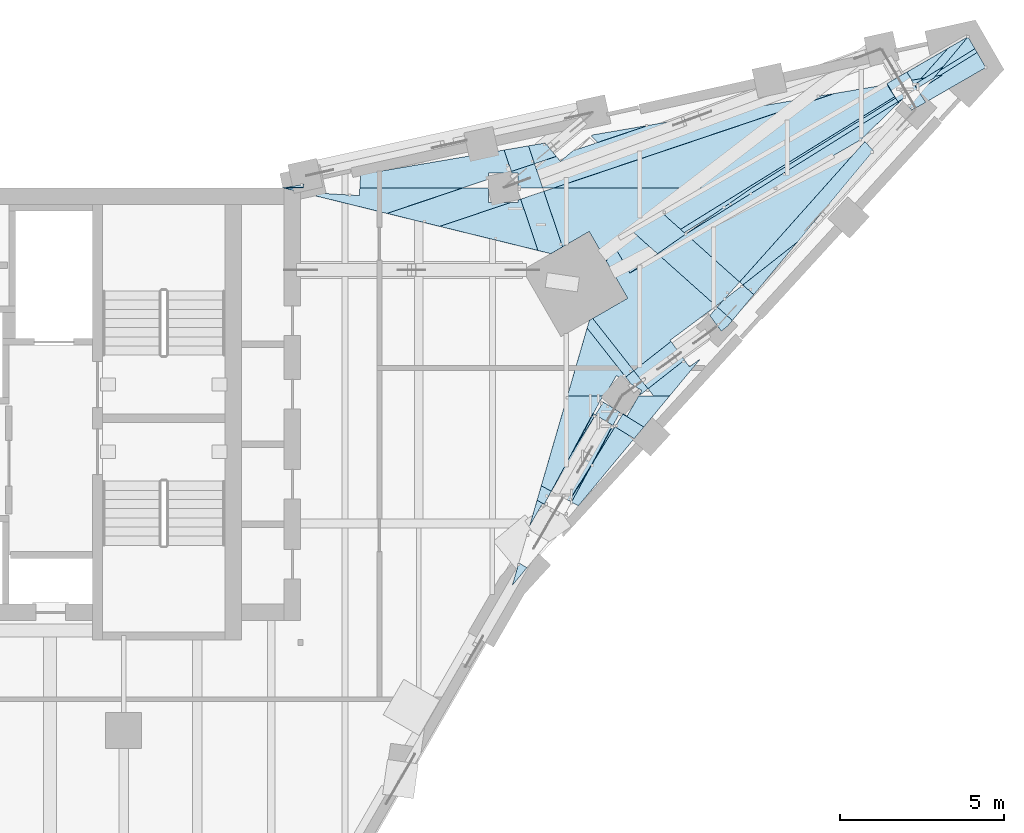
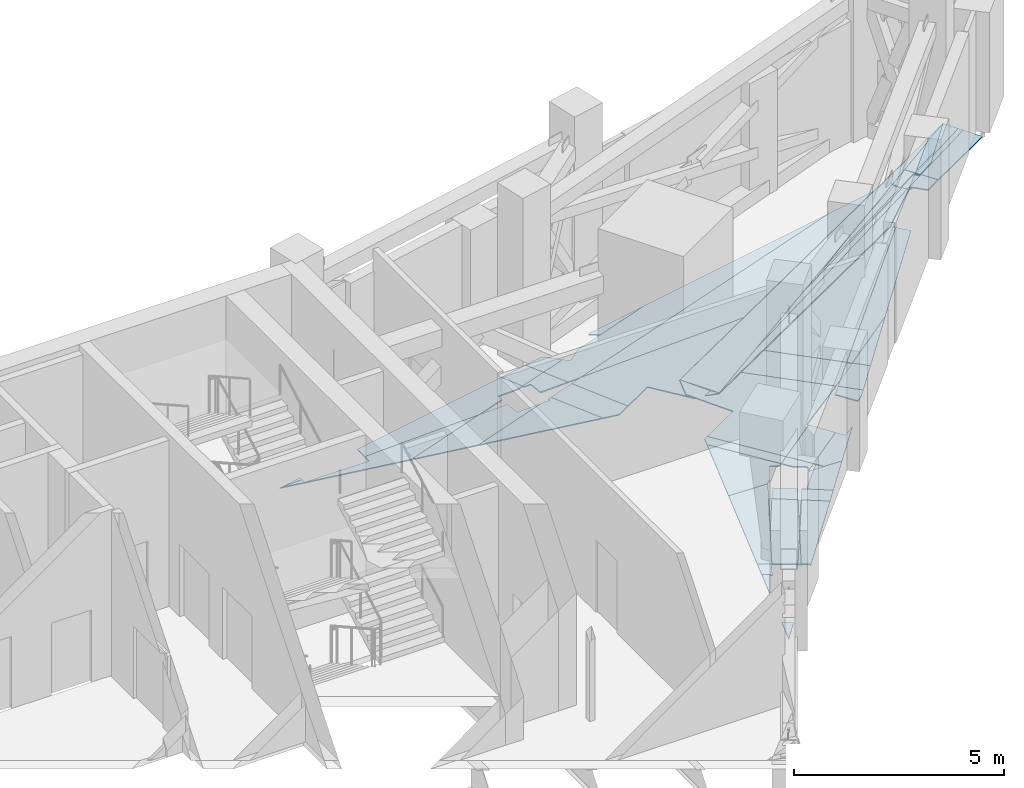
# One storey, part 8 of 23: 52 plates.
"""IFC4 building model written with IfcOpenShell, lengths in metres."""

from ifc_helpers import new_model, si_unit, direction, frame, origin, place, context, subcontext, project, spatial, polyline, outline, extrude, material, layer, layer_set, type_object, element, save


model = new_model("IFC4")

# Units and contexts
model_context = context("Model", 3, precision=1e-05, world=origin(), true_north=direction((0.0, 1.0)))
body_context = subcontext(model_context, "Body", "Model", "MODEL_VIEW")
ifc_project = project(units=[si_unit("LENGTHUNIT", "METRE"), si_unit("AREAUNIT", "SQUARE_METRE"), si_unit("VOLUMEUNIT", "CUBIC_METRE"), si_unit("PLANEANGLEUNIT", "RADIAN"), si_unit("MASSUNIT", "GRAM", prefix="KILO")], contexts=[model_context])

# Site, building, storey
site_placement = place(None, origin())
site = spatial("IfcSite", under=ifc_project, at=site_placement, CompositionType="ELEMENT")
building_placement = place(site_placement, origin())
building = spatial("IfcBuilding", under=site, at=building_placement, Name="Calabash Gate Tower", CompositionType="ELEMENT")
storey_placement = place(building_placement, frame((0.0, 0.0, 243.199951171875)))
storey = spatial("IfcBuildingStorey", under=building, at=storey_placement, Name="L58", CompositionType="ELEMENT", Elevation=243.199951171875)

# Plates
ifc_material_1 = material(Name="Dark tinted laminated glass", Category="glass")
ifc_layer_1 = layer(ifc_material_1, 0.030029296875)
ifc_layer_set_1 = layer_set([ifc_layer_1], Name="Dark glass soffit plate 30")
plate_type_1 = type_object("IfcPlateType", Name="Dark glass soffit plate 30", PredefinedType="SHEET", material=ifc_layer_set_1)
plate_1_placement = place(storey_placement, frame((32.6201171875, 21.6220703125, -1.02294921875), z_axis=(-0.037553524407, 0.088991459793, 0.995324194867), x_axis=(-0.840864125759, -0.54099029719, 0.016643928578)))
element("IfcPlate", 1, at=plate_1_placement, inside=storey, type_object=plate_type_1, Name="Dark glass soffit SOF-Z5-NE-01", PredefinedType="SHEET", context=body_context, shape_type="SweptSolid", body=[
    extrude(outline(polyline([(0.0, 0.0), (4.748779296875, 0.0), (10.2080078125, -3.53125), (1.46923828125, -1.31982421875), (-0.03564453125, -0.67626953125), (-0.034423828125, -0.007568359375), (0.0, 0.0)])), origin(), (0.0, 0.0, -1.0), 0.030029296875),
])
plate_2_placement = place(storey_placement, frame((28.945068359375, 19.052978515625, -0.931884765625), z_axis=(-0.037480599287, 0.088816939733, 0.995342531942), x_axis=(-0.865980927979, -0.499933005581, 0.012000929421)))
element("IfcPlate", 2, at=plate_2_placement, inside=storey, type_object=plate_type_1, Name="Dark glass soffit SOF-Z5-NE-02", PredefinedType="SHEET", context=body_context, shape_type="SweptSolid", body=[
    extrude(outline(polyline([(0.0, 0.0), (5.196533203125, 0.0), (5.636962890625, -0.424072265625), (5.6357421875, -1.7255859375), (6.574462890625, -1.725830078125), (6.218994140625, -3.48828125), (5.898681640625, -3.423095703125), (0.0, 0.0)])), origin(), (0.0, 0.0, -1.0), 0.030029296875),
])
plate_3_placement = place(storey_placement, frame((31.52294921875, 20.552978515625, -0.998046875), z_axis=(0.024454063486, -0.018588582984, 0.999528120346), x_axis=(0.698994591577, -0.714480988245, -0.03038878711)))
element("IfcPlate", 3, at=plate_3_placement, inside=storey, type_object=plate_type_1, Name="Dark glass soffit SOF-Z5-NE-03", PredefinedType="SHEET", context=body_context, shape_type="SweptSolid", body=[
    extrude(outline(polyline([(0.0, 0.0), (0.1259765625, 0.0), (0.51611328125, -5.7236328125), (-1.7431640625, -5.87841796875), (-0.072265625, 1.591796875), (0.00341796875, 1.574951171875), (0.0, 0.0)])), origin(), (0.0, 0.0, -1.0), 0.030029296875),
])
plate_4_placement = place(storey_placement, frame((27.075927734375, 15.449951171875, -0.98388671875), z_axis=(0.024441529959, -0.018639909181, 0.999527471058), x_axis=(-0.801477597997, -0.597965135093, 0.008447314512)))
element("IfcPlate", 4, at=plate_4_placement, inside=storey, type_object=plate_type_1, Name="Dark glass soffit SOF-Z5-NE-04", PredefinedType="SHEET", context=body_context, shape_type="SweptSolid", body=[
    extrude(outline(polyline([(0.0, 0.0), (1.7490234375, 0.0), (1.75, 0.04443359375), (3.193603515625, 0.081298828125), (3.245361328125, -1.94775390625), (2.0205078125, -1.8037109375), (1.869140625, -3.091064453125), (1.381591796875, -3.45849609375), (0.691162109375, -3.37744140625), (0.0, 0.0)])), origin(), (0.0, 0.0, -1.0), 0.030029296875),
])
plate_5_placement = place(storey_placement, frame((23.902099609375, 17.39501953125, -0.869873046875), z_axis=(0.010367886972, 0.005989137825, 0.999928316005), x_axis=(0.865941279811, 0.500002337068, -0.011973422525)))
element("IfcPlate", 5, at=plate_5_placement, inside=storey, type_object=plate_type_1, Name="Dark glass soffit SOF-Z5-NE-05", PredefinedType="SHEET", context=body_context, shape_type="SweptSolid", body=[
    extrude(outline(polyline([(0.0, 0.0), (12.5400390625, 0.0), (0.000244140625, -1.08544921875), (0.0, 0.0)])), origin(), (0.0, 0.0, -1.0), 0.030029296875),
])
plate_6_placement = place(storey_placement, frame((22.325927734375, 19.864013671875, -1.25390625), z_axis=(-0.037330361776, 0.088255280392, 0.995398136211), x_axis=(0.76580561213, 0.642451677953, -0.028241917884)))
element("IfcPlate", 6, at=plate_6_placement, inside=storey, type_object=plate_type_1, Name="Dark glass soffit SOF-Z5-NE-06", PredefinedType="SHEET", context=body_context, shape_type="SweptSolid", body=[
    extrude(outline(polyline([(0.0, 0.0), (0.502685546875, 0.0), (2.762939453125, -0.8896484375), (7.7158203125, -3.796630859375), (-0.673095703125, -0.49755859375), (-0.936767578125, -0.27490234375), (-0.6513671875, 0.45361328125), (0.0009765625, 0.197265625), (0.0, 0.0)])), origin(), (0.0, 0.0, -1.0), 0.030029296875),
])
plate_7_placement = place(storey_placement, frame((25.43701171875, 18.281982421875, -0.890869140625), z_axis=(0.024623935715, -0.018727207014, 0.999521362207), x_axis=(0.865985335394, 0.499926172989, -0.011967474381)))
element("IfcPlate", 7, at=plate_7_placement, inside=storey, type_object=plate_type_1, Name="Dark glass soffit SOF-Z5-NE-07", PredefinedType="SHEET", context=body_context, shape_type="SweptSolid", body=[
    extrude(outline(polyline([(0.0, 0.0), (7.911376953125, 0.0), (7.926513671875, -0.466064453125), (0.233154296875, -0.705078125), (0.0, 0.0)])), origin(), (0.0, 0.0, -1.0), 0.030029296875),
])
plate_8_placement = place(storey_placement, frame((27.075927734375, 15.449951171875, -0.98388671875), z_axis=(0.024617808543, -0.018543669242, 0.999524935073), x_axis=(-0.746086889077, 0.665139757331, 0.030715747826)))
element("IfcPlate", 8, at=plate_8_placement, inside=storey, type_object=plate_type_1, Name="Dark glass soffit SOF-Z5-NE-08", PredefinedType="SHEET", context=body_context, shape_type="SweptSolid", body=[
    extrude(outline(polyline([(0.0, 0.0), (3.447265625, 0.0), (3.109375, -1.0234375), (-0.048828125, -1.022705078125), (-0.048095703125, -0.272216796875), (0.0, 0.0)])), origin(), (0.0, 0.0, -1.0), 0.030029296875),
])
plate_9_placement = place(storey_placement, frame((16.22998046875, 19.458984375, -1.447021484375), z_axis=(-0.037520032144, 0.088974248244, 0.995326996689), x_axis=(0.985437684219, 0.168597814094, 0.022075950814)))
element("IfcPlate", 9, at=plate_9_placement, inside=storey, type_object=plate_type_1, Name="Dark glass soffit SOF-Z5-NE-09", PredefinedType="SHEET", context=body_context, shape_type="SweptSolid", body=[
    extrude(outline(polyline([(0.0, 0.0), (4.442626953125, 0.0), (4.5517578125, -0.68603515625), (4.398193359375, -0.710693359375), (3.850830078125, -0.61669921875), (3.819580078125, -0.8017578125), (3.005615234375, -0.929931640625), (-0.09228515625, -0.397705078125), (0.0, 0.0)])), origin(), (0.0, 0.0, -1.0), 0.030029296875),
])
plate_10_placement = place(storey_placement, frame((31.8759765625, 20.19091796875, -1.013916015625), z_axis=(0.02512842777, -0.019099793603, 0.999501755877), x_axis=(-0.639182655142, -0.769053734576, 0.001373571956)))
element("IfcPlate", 10, at=plate_10_placement, inside=storey, type_object=plate_type_1, Name="Dark glass soffit SOF-Z5-NE-10", PredefinedType="SHEET", context=body_context, shape_type="SweptSolid", body=[
    extrude(outline(polyline([(0.0, 0.0), (3.626220703125, 0.0), (5.697998046875, -0.443359375), (5.69384765625, -0.5771484375), (-0.039794921875, -0.377685546875), (0.0, 0.0)])), origin(), (0.0, 0.0, -1.0), 0.030029296875),
])
plate_11_placement = place(storey_placement, frame((26.094970703125, 17.60791015625, -0.89404296875), z_axis=(0.010536814938, 0.005681000681, 0.999928348314), x_axis=(0.848469806994, 0.529108928629, -0.011946893535)))
element("IfcPlate", 11, at=plate_11_placement, inside=storey, type_object=plate_type_1, Name="Dark glass soffit SOF-Z5-NE-11", PredefinedType="SHEET", context=body_context, shape_type="SweptSolid", body=[
    extrude(outline(polyline([(0.0, 0.0), (7.701904296875, 0.0), (7.70263671875, -0.036865234375), (6.16455078125, -0.373291015625), (6.1669921875, -0.383056640625), (-2.01025390625, -0.105224609375), (0.0, 0.0)])), origin(), (0.0, 0.0, -1.0), 0.030029296875),
])
plate_12_placement = place(storey_placement, frame((21.027099609375, 18.60302734375, -1.18994140625), z_axis=(-0.037479772202, 0.088780354913, 0.995345826965), x_axis=(-6.3664158e-05, 0.996045447929, -0.088845155221)))
element("IfcPlate", 12, at=plate_12_placement, inside=storey, type_object=plate_type_1, Name="Dark glass soffit SOF-Z5-NE-12", PredefinedType="SHEET", context=body_context, shape_type="SweptSolid", body=[
    extrude(outline(polyline([(0.0, 0.0), (0.078125, 0.0), (0.10693359375, -0.0859375), (-1.4677734375, -0.6142578125), (-0.719970703125, 2.3857421875), (0.000732421875, 0.2333984375), (0.0, 0.0)])), origin(), (0.0, 0.0, -1.0), 0.030029296875),
])
plate_13_placement = place(storey_placement, frame((20.126953125, 19.052978515625, -1.263916015625), z_axis=(-0.03739215104, 0.088570913499, 0.995367781437), x_axis=(8.3313e-08, -0.996064359857, 0.088632900337)))
element("IfcPlate", 13, at=plate_13_placement, inside=storey, type_object=plate_type_1, Name="Dark glass soffit SOF-Z5-NE-13", PredefinedType="SHEET", context=body_context, shape_type="SweptSolid", body=[
    extrude(outline(polyline([(0.0, 0.0), (0.45166015625, 0.0), (0.453857421875, 0.66748046875), (1.1748046875, -1.48486328125), (0.771728515625, -3.09619140625), (-0.002685546875, -0.781494140625), (0.0, 0.0)])), origin(), (0.0, 0.0, -1.0), 0.030029296875),
])
plate_14_placement = place(storey_placement, frame((22.5390625, 12.708984375, -0.924072265625), z_axis=(0.024484206388, -0.018548735733, 0.999528122686), x_axis=(0.999700118507, 1.0727837e-05, -0.024488220476)))
element("IfcPlate", 14, at=plate_14_placement, inside=storey, type_object=plate_type_1, Name="Dark glass soffit SOF-Z5-NE-14", PredefinedType="SHEET", context=body_context, shape_type="SweptSolid", body=[
    extrude(outline(polyline([(0.0, 0.0), (1.082275390625, 0.0), (-0.48974609375, -2.911376953125), (-0.797119140625, -2.745361328125), (0.0, 0.0)])), origin(), (0.0, 0.0, -1.0), 0.030029296875),
])
plate_15_placement = place(storey_placement, frame((24.031005859375, 13.323974609375, -0.948974609375), z_axis=(0.024467974353, -0.018727810702, 0.999525180942), x_axis=(-0.498604038804, -0.866820468915, -0.004035735064)))
element("IfcPlate", 15, at=plate_15_placement, inside=storey, type_object=plate_type_1, Name="Dark glass soffit SOF-Z5-NE-15", PredefinedType="SHEET", context=body_context, shape_type="SweptSolid", body=[
    extrude(outline(polyline([(0.0, 0.0), (0.567626953125, 0.0), (0.75244140625, -0.07470703125), (1.27685546875, -0.987060546875), (-0.8154296875, -1.497802734375), (-0.1044921875, 0.269775390625), (0.000732421875, 0.227783203125), (0.0, 0.0)])), origin(), (0.0, 0.0, -1.0), 0.030029296875),
])
plate_16_placement = place(storey_placement, frame((13.861083984375, 19.052978515625, -1.5), z_axis=(-0.037593441668, 0.088482938917, 0.99536802373), x_axis=(0.999287754653, 6.5651764e-05, 0.037735647476)))
element("IfcPlate", 16, at=plate_16_placement, inside=storey, type_object=plate_type_1, Name="Dark glass soffit SOF-Z5-NE-16", PredefinedType="SHEET", context=body_context, shape_type="SweptSolid", body=[
    extrude(outline(polyline([(0.0, 0.0), (0.620361328125, 0.0), (0.61279296875, -0.13134765625), (2.332275390625, -0.236083984375), (2.345703125, 0.0), (5.48876953125, -0.000244140625), (3.1767578125, -0.7822265625), (0.0, 0.0)])), origin(), (0.0, 0.0, -1.0), 0.030029296875),
])
plate_17_placement = place(storey_placement, frame((23.300048828125, 10.64208984375, -0.98095703125), z_axis=(0.025054148839, -0.019054571904, 0.99950448369), x_axis=(-0.524912306009, -0.851150782573, -0.003068603288)))
element("IfcPlate", 17, at=plate_17_placement, inside=storey, type_object=plate_type_1, Name="Dark glass soffit SOF-Z5-NE-17", PredefinedType="SHEET", context=body_context, shape_type="SweptSolid", body=[
    extrude(outline(polyline([(0.0, 0.0), (1.339599609375, 0.0), (1.37548828125, -0.622802734375), (0.020751953125, -0.70068359375), (-1.3173828125, -0.701171875), (-1.317138671875, -0.07568359375), (0.0, 0.0)])), origin(), (0.0, 0.0, -1.0), 0.030029296875),
])
plate_18_placement = place(storey_placement, frame((22.033935546875, 17.0458984375, -1.012939453125), z_axis=(-0.037594677985, 0.088714968955, 0.995347323536), x_axis=(-0.969090546888, 0.239796381894, -0.057975918817)))
element("IfcPlate", 18, at=plate_18_placement, inside=storey, type_object=plate_type_1, Name="Dark glass soffit SOF-Z5-NE-18", PredefinedType="SHEET", context=body_context, shape_type="SweptSolid", body=[
    extrude(outline(polyline([(0.0, 0.0), (0.4052734375, 0.0), (1.302001953125, -1.398193359375), (0.673828125, -1.80126953125), (-0.296142578125, -0.28759765625), (0.0, 0.0)])), origin(), (0.0, 0.0, -1.0), 0.030029296875),
])
plate_19_placement = place(storey_placement, frame((22.6640625, 9.466064453125, -0.987060546875), z_axis=(0.024157396071, -0.01819355211, 0.999542602832), x_axis=(0.475682703592, 0.879605360211, 0.004513955153)))
element("IfcPlate", 19, at=plate_19_placement, inside=storey, type_object=plate_type_1, Name="Dark glass soffit SOF-Z5-NE-19", PredefinedType="SHEET", context=body_context, shape_type="SweptSolid", body=[
    extrude(outline(polyline([(0.0, 0.0), (1.3369140625, 0.0), (2.65234375, -0.07421875), (2.614013671875, -0.76025390625), (-0.00048828125, -0.23681640625), (0.0, 0.0)])), origin(), (0.0, 0.0, -1.0), 0.030029296875),
])
plate_20_placement = place(storey_placement, frame((25.990966796875, 17.7880859375, -0.9140625), z_axis=(0.024483140981, -0.018634481746, 0.999526553873), x_axis=(0.850064728706, 0.526563236354, -0.011005231964)))
element("IfcPlate", 20, at=plate_20_placement, inside=storey, type_object=plate_type_1, Name="Dark glass soffit SOF-Z5-NE-20", PredefinedType="SHEET", context=body_context, shape_type="SweptSolid", body=[
    extrude(outline(polyline([(0.0, 0.0), (7.697021484375, 0.0), (7.697021484375, -0.144775390625), (0.0419921875, -0.14501953125), (0.0, 0.0)])), origin(), (0.0, 0.0, -1.0), 0.030029296875),
])
plate_21_placement = place(storey_placement, frame((35.303955078125, 22.72412109375, -1.02001953125), z_axis=(0.01083487106, 0.005343734024, 0.999927022375), x_axis=(-0.866061235324, -0.499792563378, 0.012055300108)))
element("IfcPlate", 21, at=plate_21_placement, inside=storey, type_object=plate_type_1, Name="Dark glass soffit SOF-Z5-NE-21", PredefinedType="SHEET", context=body_context, shape_type="SweptSolid", body=[
    extrude(outline(polyline([(0.0, 0.0), (2.12109375, 0.0), (2.136962890625, -0.458251953125), (0.00048828125, -0.53125), (0.0, 0.0)])), origin(), (0.0, 0.0, -1.0), 0.030029296875),
])
plate_22_placement = place(storey_placement, frame((26.112060546875, 13.801025390625, -0.990966796875), z_axis=(0.024649129791, -0.018924948534, 0.999517016725), x_axis=(-0.786063252633, -0.618098333309, 0.007682006272)))
element("IfcPlate", 22, at=plate_22_placement, inside=storey, type_object=plate_type_1, Name="Dark glass soffit SOF-Z5-NE-22", PredefinedType="SHEET", context=body_context, shape_type="SweptSolid", body=[
    extrude(outline(polyline([(0.0, 0.0), (1.417236328125, 0.0), (1.417724609375, -0.700439453125), (-0.0263671875, -0.70068359375), (0.0, 0.0)])), origin(), (0.0, 0.0, -1.0), 0.030029296875),
])
plate_23_placement = place(storey_placement, frame((28.18505859375, 19.069091796875, -0.924072265625), z_axis=(0.010916486967, 0.005065482093, 0.99992758298), x_axis=(0.848596963001, 0.528905040532, -0.011943721627)))
element("IfcPlate", 23, at=plate_23_placement, inside=storey, type_object=plate_type_1, Name="Dark glass soffit SOF-Z5-NE-23", PredefinedType="SHEET", context=body_context, shape_type="SweptSolid", body=[
    extrude(outline(polyline([(0.0, 0.0), (5.155517578125, 0.0), (5.1552734375, -0.132568359375), (-2.546875, -0.134521484375), (0.0, 0.0)])), origin(), (0.0, 0.0, -1.0), 0.030029296875),
])
plate_24_placement = place(storey_placement, frame((34.760986328125, 23.6650390625, -1.02001953125), z_axis=(0.010449760598, 0.006227470434, 0.99992600782), x_axis=(0.498636485626, -0.866811179021, 0.000187422957)))
element("IfcPlate", 24, at=plate_24_placement, inside=storey, type_object=plate_type_1, Name="Dark glass soffit SOF-Z5-NE-24", PredefinedType="SHEET", context=body_context, shape_type="SweptSolid", body=[
    extrude(outline(polyline([(0.0, 0.0), (0.421142578125, 0.0), (0.497314453125, -2.14013671875), (0.189697265625, -2.1513671875), (0.0, 0.0)])), origin(), (0.0, 0.0, -1.0), 0.030029296875),
])
plate_25_placement = place(storey_placement, frame((24.361083984375, 12.093994140625, -0.97998046875), z_axis=(0.024416354973, -0.01920552026, 0.999517378339), x_axis=(0.499914131701, 0.866063648114, 0.004429259701)))
element("IfcPlate", 25, at=plate_25_placement, inside=storey, type_object=plate_type_1, Name="Dark glass soffit SOF-Z5-NE-25", PredefinedType="SHEET", context=body_context, shape_type="SweptSolid", body=[
    extrude(outline(polyline([(0.0, 0.0), (0.710205078125, 0.0), (1.181884765625, -0.81787109375), (-0.03662109375, -0.609130859375), (-0.01513671875, 0.142578125), (0.0, 0.14208984375), (0.0, 0.0)])), origin(), (0.0, 0.0, -1.0), 0.030029296875),
])
plate_26_placement = place(storey_placement, frame((26.261962890625, 13.594970703125, -0.9990234375), z_axis=(0.024154466145, -0.018004610204, 0.999546094873), x_axis=(0.808167482337, 0.588885144857, -0.008922256462)))
element("IfcPlate", 26, at=plate_26_placement, inside=storey, type_object=plate_type_1, Name="Dark glass soffit SOF-Z5-NE-26", PredefinedType="SHEET", context=body_context, shape_type="SweptSolid", body=[
    extrude(outline(polyline([(0.0, 0.0), (0.419677734375, 0.0), (-1.00830078125, -0.361572265625), (-1.406005859375, -0.07177734375), (-1.416015625, 0.202880859375), (0.000244140625, 0.2548828125), (0.0, 0.0)])), origin(), (0.0, 0.0, -1.0), 0.030029296875),
])
plate_27_placement = place(storey_placement, frame((23.208984375, 15.010986328125, -0.89697265625), z_axis=(0.024361487013, -0.018871225777, 0.999525084622), x_axis=(0.865438125812, 0.500880663108, -0.011636654008)))
element("IfcPlate", 27, at=plate_27_placement, inside=storey, type_object=plate_type_1, Name="Dark glass soffit SOF-Z5-NE-27", PredefinedType="SHEET", context=body_context, shape_type="SweptSolid", body=[
    extrude(outline(polyline([(0.0, 0.0), (0.117919921875, 0.0), (0.405029296875, -2.00927734375), (0.092529296875, -2.053955078125), (-0.177001953125, -0.16796875), (0.0, 0.0)])), origin(), (0.0, 0.0, -1.0), 0.030029296875),
])
plate_28_placement = place(storey_placement, frame((21.35302734375, 20.3359375, -1.33203125), z_axis=(-0.037411090781, 0.088660063318, 0.995359132906), x_axis=(0.316667622909, -0.943670315062, 0.095958079768)))
element("IfcPlate", 28, at=plate_28_placement, inside=storey, type_object=plate_type_1, Name="Dark glass soffit SOF-Z5-NE-30", PredefinedType="SHEET", context=body_context, shape_type="SweptSolid", body=[
    extrude(outline(polyline([(0.0, 0.0), (0.577392578125, 0.0), (0.57763671875, -0.745849609375), (-0.116943359375, -0.7470703125), (0.0, 0.0)])), origin(), (0.0, 0.0, -1.0), 0.030029296875),
])
plate_29_placement = place(storey_placement, frame((29.55810546875, 17.402099609375, -1.009033203125), z_axis=(0.025084720442, -0.018843133179, 0.999507725399), x_axis=(-0.638629208682, -0.769513106944, 0.001520545735)))
element("IfcPlate", 29, at=plate_29_placement, inside=storey, type_object=plate_type_1, Name="Dark glass soffit SOF-Z5-NE-31", PredefinedType="SHEET", context=body_context, shape_type="SweptSolid", body=[
    extrude(outline(polyline([(0.0, 0.0), (2.08740234375, 0.0), (2.071533203125, -0.44482421875), (0.0, 0.0)])), origin(), (0.0, 0.0, -1.0), 0.030029296875),
])
plate_30_placement = place(storey_placement, frame((32.737060546875, 21.737060546875, -1.029052734375), z_axis=(-0.037557127435, 0.089065028082, 0.995317478472), x_axis=(-0.713933009128, -0.699306540303, 0.035637356335)))
element("IfcPlate", 30, at=plate_30_placement, inside=storey, type_object=plate_type_1, Name="Dark glass soffit SOF-Z5-NE-33", PredefinedType="SHEET", context=body_context, shape_type="SweptSolid", body=[
    extrude(outline(polyline([(0.0, 0.0), (0.12890625, 0.0), (-0.008056640625, -0.65478515625), (-0.633056640625, -0.22021484375), (-0.5556640625, 0.149169921875), (0.0, 0.0341796875), (0.0, 0.0)])), origin(), (0.0, 0.0, -1.0), 0.030029296875),
])
plate_31_placement = place(storey_placement, frame((34.15087890625, 23.31298828125, -1.011962890625), z_axis=(0.025235434734, -0.018735259993, 0.999505959395), x_axis=(-0.665276872134, -0.746591474795, 0.002802350173)))
element("IfcPlate", 31, at=plate_31_placement, inside=storey, type_object=plate_type_1, Name="Dark glass soffit SOF-Z5-NE-34", PredefinedType="SHEET", context=body_context, shape_type="SweptSolid", body=[
    extrude(outline(polyline([(0.0, 0.0), (1.405029296875, 0.0), (1.50341796875, -0.029296875), (1.377685546875, -0.454833984375), (0.0, 0.0)])), origin(), (0.0, 0.0, -1.0), 0.030029296875),
])
plate_32_placement = place(storey_placement, frame((34.001953125, 22.7509765625, -1.01806640625), z_axis=(0.023148488334, -0.016989691347, 0.999587663927), x_axis=(-0.849947329808, -0.526758392966, 0.010729957686)))
element("IfcPlate", 32, at=plate_32_placement, inside=storey, type_object=plate_type_1, Name="Dark glass soffit SOF-Z5-NE-35", PredefinedType="SHEET", context=body_context, shape_type="SweptSolid", body=[
    extrude(outline(polyline([(0.0, 0.0), (0.924560546875, 0.0), (-0.422607421875, -0.3994140625), (-1.126708984375, -0.377197265625), (0.0, 0.0)])), origin(), (0.0, 0.0, -1.0), 0.030029296875),
])
plate_33_placement = place(storey_placement, frame((24.575927734375, 11.404052734375, -0.998046875), z_axis=(0.024859972912, -0.018188719179, 0.999525463528), x_axis=(-0.851330141681, 0.523731053767, 0.030704611782)))
element("IfcPlate", 33, at=plate_33_placement, inside=storey, type_object=plate_type_1, Name="Dark glass soffit SOF-Z5-NE-36", PredefinedType="SHEET", context=body_context, shape_type="SweptSolid", body=[
    extrude(outline(polyline([(0.0, 0.0), (0.68701171875, 0.0), (0.68701171875, -0.455810546875), (-0.065185546875, -0.45556640625), (0.0, 0.0)])), origin(), (0.0, 0.0, -1.0), 0.030029296875),
])
plate_34_placement = place(storey_placement, frame((21.85888671875, 20.422119140625, -1.321044921875), z_axis=(-0.036989986214, 0.088627131245, 0.995377803915), x_axis=(0.639368266227, -0.763408986451, 0.091732979609)))
element("IfcPlate", 34, at=plate_34_placement, inside=storey, type_object=plate_type_1, Name="Dark glass soffit SOF-Z5-NE-37", PredefinedType="SHEET", context=body_context, shape_type="SweptSolid", body=[
    extrude(outline(polyline([(0.0, 0.0), (0.533447265625, 0.0), (0.279296875, -0.653076171875), (-0.258544921875, -0.443359375), (0.0, 0.0)])), origin(), (0.0, 0.0, -1.0), 0.030029296875),
])
plate_35_placement = place(storey_placement, frame((32.89501953125, 22.5869140625, -0.993896484375), z_axis=(0.024357700367, -0.018662896793, 0.999529088479), x_axis=(0.527012835111, -0.849372510593, -0.028702088375)))
element("IfcPlate", 35, at=plate_35_placement, inside=storey, type_object=plate_type_1, Name="Dark glass soffit SOF-Z5-NE-38", PredefinedType="SHEET", context=body_context, shape_type="SweptSolid", body=[
    extrude(outline(polyline([(0.0, 0.0), (0.44384765625, 0.0), (0.443359375, -0.7001953125), (-0.02294921875, -0.7001953125), (0.0, 0.0)])), origin(), (0.0, 0.0, -1.0), 0.030029296875),
])
plate_36_placement = place(storey_placement, frame((35.0380859375, 23.18408203125, -1.02001953125), z_axis=(0.010486897068, 0.006256513962, 0.999925437732), x_axis=(-0.848486381505, -0.529076363987, 0.012209073341)))
element("IfcPlate", 36, at=plate_36_placement, inside=storey, type_object=plate_type_1, Name="Dark glass soffit SOF-Z5-NE-40", PredefinedType="SHEET", context=body_context, shape_type="SweptSolid", body=[
    extrude(outline(polyline([(0.0, 0.0), (2.137939453125, 0.0), (2.136962890625, -0.1337890625), (-0.00439453125, -0.134033203125), (0.0, 0.0)])), origin(), (0.0, 0.0, -1.0), 0.030029296875),
])
plate_37_placement = place(storey_placement, frame((27.23193359375, 14.681884765625, -1.001953125), z_axis=(0.023817510722, -0.018199432349, 0.999550652466), x_axis=(-0.588492524528, 0.807991885304, 0.028734332369)))
element("IfcPlate", 37, at=plate_37_placement, inside=storey, type_object=plate_type_1, Name="Dark glass soffit SOF-Z5-NE-42", PredefinedType="SHEET", context=body_context, shape_type="SweptSolid", body=[
    extrude(outline(polyline([(0.0, 0.0), (0.5927734375, 0.0), (0.6650390625, -0.3359375), (0.064697265625, -0.466796875), (0.00927734375, -0.24560546875), (0.0, 0.0)])), origin(), (0.0, 0.0, -1.0), 0.030029296875),
])
plate_38_placement = place(storey_placement, frame((33.0458984375, 21.419921875, -0.989013671875), z_axis=(0.010531017402, 0.003998456095, 0.999936552998), x_axis=(-0.697644968116, 0.716429623138, 0.004482583312)))
element("IfcPlate", 38, at=plate_38_placement, inside=storey, type_object=plate_type_1, Name="Dark glass soffit SOF-Z5-NE-43", PredefinedType="SHEET", context=body_context, shape_type="SweptSolid", body=[
    extrude(outline(polyline([(0.0, 0.0), (0.442626953125, 0.0), (0.442626953125, 0.121826171875), (0.478759765625, 0.114501953125), (0.3291015625, -0.5693359375), (-0.118896484375, -0.47216796875), (0.0, 0.0)])), origin(), (0.0, 0.0, -1.0), 0.030029296875),
])
plate_39_placement = place(storey_placement, frame((25.012939453125, 20.9619140625, -1.25), z_axis=(-0.037626920331, 0.089840917618, 0.995245107694), x_axis=(-0.947617643668, -0.319330232258, -0.007000298157)))
element("IfcPlate", 39, at=plate_39_placement, inside=storey, type_object=plate_type_1, Name="Dark glass soffit SOF-Z5-NE-44", PredefinedType="SHEET", context=body_context, shape_type="SweptSolid", body=[
    extrude(outline(polyline([(0.0, 0.0), (1.63134765625, 0.0), (1.76318359375, -0.25244140625), (1.72705078125, -0.27197265625), (0.0, 0.0)])), origin(), (0.0, 0.0, -1.0), 0.030029296875),
])
plate_40_placement = place(storey_placement, frame((33.97998046875, 22.498046875, -1.050048828125), z_axis=(-0.037501040996, 0.089720036217, 0.995260763331), x_axis=(-0.840506210452, -0.541530490314, 0.017147543616)))
element("IfcPlate", 40, at=plate_40_placement, inside=storey, type_object=plate_type_1, Name="Dark glass soffit SOF-Z5-NE-48", PredefinedType="SHEET", context=body_context, shape_type="SweptSolid", body=[
    extrude(outline(polyline([(0.0, 0.0), (0.8828125, 0.0), (0.8818359375, -0.377197265625), (0.0, 0.0)])), origin(), (0.0, 0.0, -1.0), 0.030029296875),
])
plate_41_placement = place(storey_placement, frame((21.740966796875, 9.964111328125, -0.954833984375), z_axis=(0.026109042532, -0.019112159874, 0.999476384535), x_axis=(0.87925419175, -0.475273005925, -0.032056764179)))
element("IfcPlate", 41, at=plate_41_placement, inside=storey, type_object=plate_type_1, Name="Dark glass soffit SOF-Z5-NE-50", PredefinedType="SHEET", context=body_context, shape_type="SweptSolid", body=[
    extrude(outline(polyline([(0.0, 0.0), (0.349365234375, 0.0), (0.349609375, -0.448974609375), (0.097412109375, -0.448974609375), (0.0, 0.0)])), origin(), (0.0, 0.0, -1.0), 0.030029296875),
])
plate_42_placement = place(storey_placement, frame((33.7109375, 22.40087890625, -1.01806640625), z_axis=(0.025556229993, -0.020237029595, 0.99946852964), x_axis=(-0.849614622766, -0.527288282569, 0.011048069847)))
element("IfcPlate", 42, at=plate_42_placement, inside=storey, type_object=plate_type_1, Name="Dark glass soffit SOF-Z5-NE-51", PredefinedType="SHEET", context=body_context, shape_type="SweptSolid", body=[
    extrude(outline(polyline([(0.0, 0.0), (0.595458984375, 0.0), (0.59521484375, -0.1142578125), (0.49267578125, -0.144775390625), (-0.431884765625, -0.14404296875), (0.0, 0.0)])), origin(), (0.0, 0.0, -1.0), 0.030029296875),
])
plate_43_placement = place(storey_placement, frame((21.056884765625, 7.612060546875, -0.98193359375), z_axis=(0.025183324215, -0.019096332536, 0.999500440353), x_axis=(0.859011078466, -0.510992756162, -0.031406531525)))
element("IfcPlate", 43, at=plate_43_placement, inside=storey, type_object=plate_type_1, Name="Dark glass soffit SOF-Z5-NE-53", PredefinedType="SHEET", context=body_context, shape_type="SweptSolid", body=[
    extrude(outline(polyline([(0.0, 0.0), (0.28759765625, 0.0), (0.178955078125, -0.689697265625), (0.0, 0.0)])), origin(), (0.0, 0.0, -1.0), 0.030029296875),
])
plate_44_placement = place(storey_placement, frame((21.781005859375, 9.427001953125, -0.966064453125), z_axis=(0.025559787684, -0.018845704652, 0.999495641146), x_axis=(-0.499910791761, -0.866069643334, -0.003545867398)))
element("IfcPlate", 44, at=plate_44_placement, inside=storey, type_object=plate_type_1, Name="Dark glass soffit SOF-Z5-NE-55", PredefinedType="SHEET", context=body_context, shape_type="SweptSolid", body=[
    extrude(outline(polyline([(0.0, 0.0), (0.792236328125, 0.0), (0.000732421875, -0.193603515625), (-0.00634765625, 0.058837890625), (0.000244140625, 0.057861328125), (0.0, 0.0)])), origin(), (0.0, 0.0, -1.0), 0.030029296875),
])
plate_45_placement = place(storey_placement, frame((23.330078125, 12.1708984375, -0.952880859375), z_axis=(0.020204617166, -0.016091427891, 0.99966636404), x_axis=(0.852367110001, -0.522315183948, -0.025635101053)))
element("IfcPlate", 45, at=plate_45_placement, inside=storey, type_object=plate_type_1, Name="Dark glass soffit SOF-Z5-NE-58", PredefinedType="SHEET", context=body_context, shape_type="SweptSolid", body=[
    extrude(outline(polyline([(0.0, 0.0), (0.076171875, 0.0), (0.072998046875, -1.338134765625), (0.0, 0.0)])), origin(), (0.0, 0.0, -1.0), 0.030029296875),
])
plate_46_placement = place(storey_placement, frame((22.6640625, 9.466064453125, -0.987060546875), z_axis=(0.023226055693, -0.017748223414, 0.999572684152), x_axis=(-0.881541577344, 0.471224043162, 0.028850451622)))
element("IfcPlate", 46, at=plate_46_placement, inside=storey, type_object=plate_type_1, Name="Dark glass soffit SOF-Z5-NE-59", PredefinedType="SHEET", context=body_context, shape_type="SweptSolid", body=[
    extrude(outline(polyline([(0.0, 0.0), (0.076171875, 0.0), (-0.00634765625, -1.3369140625), (0.0, 0.0)])), origin(), (0.0, 0.0, -1.0), 0.030029296875),
])
plate_47_placement = place(storey_placement, frame((23.927001953125, 11.802978515625, -0.974853515625), z_axis=(0.023407007884, -0.017896601827, 0.999565817555), x_axis=(0.853076315212, -0.520962635244, -0.029304148232)))
element("IfcPlate", 47, at=plate_47_placement, inside=storey, type_object=plate_type_1, Name="Dark glass soffit SOF-Z5-NE-61", PredefinedType="SHEET", context=body_context, shape_type="SweptSolid", body=[
    extrude(outline(polyline([(0.0, 0.0), (0.074951171875, 0.0), (0.070068359375, -1.317626953125), (0.0, 0.0)])), origin(), (0.0, 0.0, -1.0), 0.030029296875),
])
plate_48_placement = place(storey_placement, frame((13.861083984375, 19.052978515625, -1.5), z_axis=(-0.036865458759, 0.084284116221, 0.995759572238), x_axis=(0.985520142563, 0.168091052353, 0.022258632503)))
element("IfcPlate", 48, at=plate_48_placement, inside=storey, type_object=plate_type_1, Name="Dark glass soffit SOF-Z5-NE-65", PredefinedType="SHEET", context=body_context, shape_type="SweptSolid", body=[
    extrude(outline(polyline([(0.0, 0.0), (0.63623046875, 0.0), (0.611328125, -0.104736328125), (0.0, 0.0)])), origin(), (0.0, 0.0, -1.0), 0.030029296875),
])
ifc_material_2 = material(Name="Dark bronze anodised aluminium panel", Category="aluminium")
ifc_layer_2 = layer(ifc_material_2, 0.030029296875)
ifc_layer_set_2 = layer_set([ifc_layer_2], Name="Dark soffit panel plate 30")
plate_type_2 = type_object("IfcPlateType", Name="Dark soffit panel plate 30", PredefinedType="SHEET", material=ifc_layer_set_2)
plate_49_placement = place(storey_placement, frame((27.89306640625, 16.092041015625, -0.991943359375), z_axis=(0.024490942394, -0.018610032923, 0.999526818257), x_axis=(0.745938071007, -0.665309005594, -0.030664658781)))
element("IfcPlate", 49, at=plate_49_placement, inside=storey, type_object=plate_type_2, Name="Dark soffit panel SOF-Z5-NE-28", PredefinedType="SHEET", context=body_context, shape_type="SweptSolid", body=[
    extrude(outline(polyline([(0.0, 0.0), (0.445068359375, 0.0), (0.480712890625, -1.022705078125), (-0.133544921875, -1.023681640625), (-0.134521484375, -0.7509765625), (0.0, 0.0)])), origin(), (0.0, 0.0, -1.0), 0.030029296875),
])
plate_50_placement = place(storey_placement, frame((21.027099609375, 19.052978515625, -1.22998046875), z_axis=(-0.036912479505, 0.088735852554, 0.99537099482), x_axis=(5.97159e-06, 0.996049820127, -0.088796147375)))
element("IfcPlate", 50, at=plate_50_placement, inside=storey, type_object=plate_type_2, Name="Dark soffit panel SOF-Z5-NE-32", PredefinedType="SHEET", context=body_context, shape_type="SweptSolid", body=[
    extrude(outline(polyline([(0.0, 0.0), (0.45166015625, 0.0), (0.452392578125, 0.181396484375), (0.502685546875, 0.1982421875), (0.7392578125, -0.509033203125), (-0.00244140625, -0.75830078125), (0.0, 0.0)])), origin(), (0.0, 0.0, -1.0), 0.030029296875),
])
plate_51_placement = place(storey_placement, frame((23.77197265625, 12.43408203125, -0.958984375), z_axis=(0.025953964633, -0.018728398334, 0.999487688176), x_axis=(0.851186090987, -0.523892520371, -0.031919674334)))
element("IfcPlate", 51, at=plate_51_placement, inside=storey, type_object=plate_type_2, Name="Dark soffit panel SOF-Z5-NE-41", PredefinedType="SHEET", context=body_context, shape_type="SweptSolid", body=[
    extrude(outline(polyline([(0.0, 0.0), (0.43701171875, 0.0), (0.463134765625, -0.456298828125), (-0.162353515625, -0.45556640625), (-0.16162109375, -0.00439453125), (0.0, 0.0)])), origin(), (0.0, 0.0, -1.0), 0.030029296875),
])
plate_52_placement = place(storey_placement, frame((24.81103515625, 12.8740234375, -0.975830078125), z_axis=(0.024849541814, -0.018448119204, 0.999520968849), x_axis=(-0.865788840199, 0.499464243035, 0.030743358907)))
element("IfcPlate", 52, at=plate_52_placement, inside=storey, type_object=plate_type_2, Name="Dark soffit panel SOF-Z5-NE-46", PredefinedType="SHEET", context=body_context, shape_type="SweptSolid", body=[
    extrude(outline(polyline([(0.0, 0.0), (0.36865234375, 0.0), (0.631103515625, -0.104736328125), (0.513916015625, -0.397705078125), (-0.136474609375, -0.1376953125), (-0.019287109375, 0.1552734375), (0.0, 0.147705078125), (0.0, 0.0)])), origin(), (0.0, 0.0, -1.0), 0.030029296875),
])

save(model, "model.ifc")
